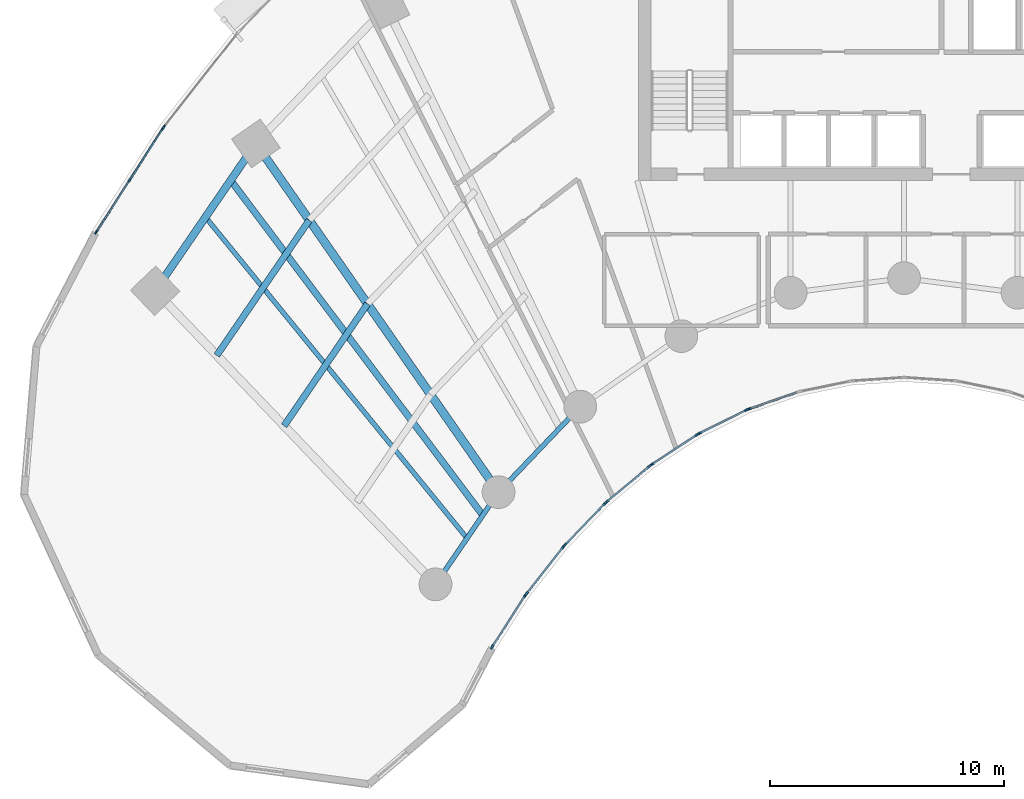
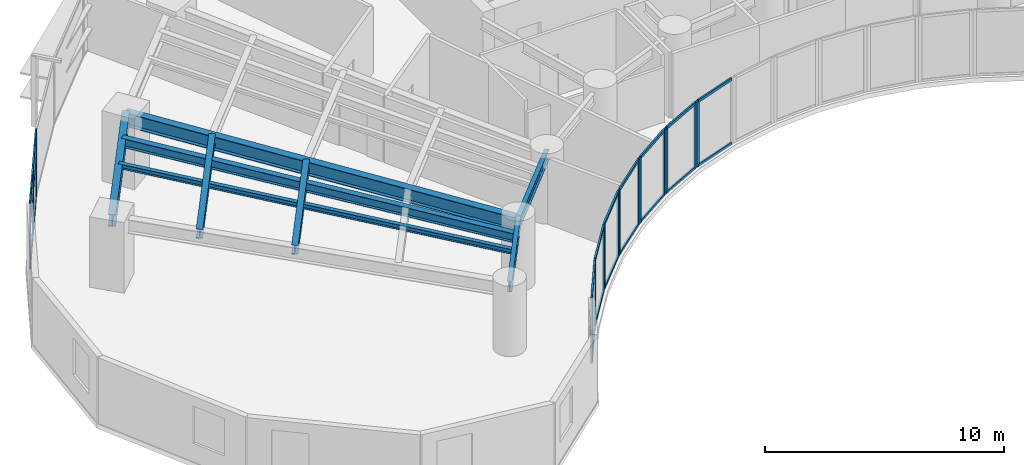
# One storey, part 2 of 17: 37 members, 8 beams, 9 elements without a shape of their own.
"""IFC4 building model written with IfcOpenShell, lengths in metres."""

from ifc_helpers import new_model, si_unit, direction, frame, origin, origin_2d, place, context, subcontext, project, spatial, rectangle, i_section, extrude, source, transform, mapped, material, layer, layer_set, material_profile, profile_set, type_object, type_shapes, element, aggregate, save


model = new_model("IFC4")

# Units and contexts
model_context = context("Model", 3, precision=1e-05, world=origin(), true_north=direction((0.0, 1.0)))
body_context = subcontext(model_context, "Body", "Model", "MODEL_VIEW")
ifc_project = project(units=[si_unit("LENGTHUNIT", "METRE"), si_unit("AREAUNIT", "SQUARE_METRE"), si_unit("VOLUMEUNIT", "CUBIC_METRE"), si_unit("PLANEANGLEUNIT", "RADIAN"), si_unit("MASSUNIT", "GRAM", prefix="KILO")], contexts=[model_context])

# Site, building, storey
site_placement = place(None, origin())
site = spatial("IfcSite", under=ifc_project, at=site_placement, CompositionType="ELEMENT")
building_placement = place(site_placement, origin())
building = spatial("IfcBuilding", under=site, at=building_placement, Name="Breltana Convention Tower", CompositionType="ELEMENT")
storey_placement = place(building_placement, frame((0.0, 0.0, 64.199951171875)))
storey = spatial("IfcBuildingStorey", under=building, at=storey_placement, Name="L14", CompositionType="ELEMENT", Elevation=64.199951171875)

# Beams
ifc_material_1 = material(Name="Steel ASTM A992 Grade 50", Category="steel")
ifc_material_profile_1 = material_profile(ifc_material_1, i_section(OverallWidth=0.323974609375, OverallDepth=0.611083984375, WebThickness=0.0126953125, FlangeThickness=0.01904296875, at=origin_2d()), Name="W24X104")
ifc_profile_set_1 = profile_set([ifc_material_profile_1], Name="Steel ASTM A992 Grade 50")
beam_type_1 = type_object("IfcBeamType", Name="BM-SP-W24X104", PredefinedType="SPANDREL", material=ifc_profile_set_1)
shared_shape_1 = source(origin(), body_context, "Body", "SweptSolid", [
    extrude(i_section(OverallWidth=0.323974609375, OverallDepth=0.611083984375, WebThickness=0.0126953125, FlangeThickness=0.01904296875, at=origin_2d()), origin(), (0.0, 0.0, 1.0), 7.625),
])
type_shapes(beam_type_1, [shared_shape_1])
beam_1_placement = place(storey_placement, frame((16.0068359375, 55.494384765625, 3.054443359375), z_axis=(0.564452031902, 0.825465870694, 0.0), x_axis=(-0.825465870694, 0.564452031902, 0.0)))
element("IfcBeam", 1, at=beam_1_placement, inside=storey, type_object=beam_type_1, Name="L14 Outer Spandrel Beam 01", PredefinedType="SPANDREL", context=body_context, shape_type="MappedRepresentation", body=[
    mapped(shared_shape_1, transform((0.0, 0.0, 0.0), scale=1.0)),
])
ifc_material_profile_2 = material_profile(ifc_material_1, i_section(OverallWidth=0.35498046875, OverallDepth=0.696044921875, WebThickness=0.015380859375, FlangeThickness=0.02490234375, at=origin_2d()), Name="W27X146")
ifc_profile_set_2 = profile_set([ifc_material_profile_2], Name="Steel ASTM A992 Grade 50")
beam_type_2 = type_object("IfcBeamType", Name="BM-RG-W27X146", PredefinedType="USERDEFINED", material=ifc_profile_set_2)
shared_shape_2 = source(origin(), body_context, "Body", "SweptSolid", [
    extrude(i_section(OverallWidth=0.35498046875, OverallDepth=0.696044921875, WebThickness=0.015380859375, FlangeThickness=0.02490234375, at=origin_2d()), origin(), (0.0, 0.0, 1.0), 18.1484375),
])
beam_2_placement = place(storey_placement, frame((30.67724609375, 46.892333984375, 3.011962890625), z_axis=(-0.571207556098, 0.820805657788, 0.0), x_axis=(-0.820805657788, -0.571207556098, 0.0)))
element("IfcBeam", 2, at=beam_2_placement, inside=storey, type_object=beam_type_2, Name="L14 Radial Floor Girder R02", ObjectType="GIRDER", PredefinedType="USERDEFINED", context=body_context, shape_type="MappedRepresentation", body=[
    mapped(shared_shape_2, transform((0.0, 0.0, 0.0), scale=1.0)),
])
ifc_material_profile_3 = material_profile(ifc_material_1, i_section(OverallWidth=0.2099609375, OverallDepth=0.537109375, WebThickness=0.010986328125, FlangeThickness=0.017333984375, at=origin_2d()), Name="W21X68")
ifc_profile_set_3 = profile_set([ifc_material_profile_3], Name="Steel ASTM A992 Grade 50")
beam_type_3 = type_object("IfcBeamType", Name="BM-BM-W21X68", PredefinedType="BEAM", material=ifc_profile_set_3)
shared_shape_3 = source(origin(), body_context, "Body", "SweptSolid", [
    extrude(i_section(OverallWidth=0.2099609375, OverallDepth=0.537109375, WebThickness=0.010986328125, FlangeThickness=0.017333984375, at=origin_2d()), origin(), (0.0, 0.0, 1.0), 4.770263671875),
])
beam_3_placement = place(storey_placement, frame((27.984619140625, 42.95458984375, 3.091552734375), z_axis=(0.564452719055, 0.82546540082, 0.0), x_axis=(-0.82546540082, 0.564452719055, 0.0)))
element("IfcBeam", 3, at=beam_3_placement, inside=storey, type_object=beam_type_3, Name="L14 Inner Ring Beam 01", PredefinedType="BEAM", context=body_context, shape_type="MappedRepresentation", body=[
    mapped(shared_shape_3, transform((0.0, 0.0, 0.0), scale=1.0)),
])
shared_shape_4 = source(origin(), body_context, "Body", "SweptSolid", [
    extrude(i_section(OverallWidth=0.2099609375, OverallDepth=0.537109375, WebThickness=0.010986328125, FlangeThickness=0.017333984375, at=origin_2d()), origin(), (0.0, 0.0, 1.0), 5.05126953125),
])
beam_4_placement = place(storey_placement, frame((30.67724609375, 46.892333984375, 3.091552734375), z_axis=(0.690729753845, 0.7231129975, 0.0), x_axis=(-0.7231129975, 0.690729753845, 0.0)))
element("IfcBeam", 4, at=beam_4_placement, inside=storey, type_object=beam_type_3, Name="L14 Inner Ring Beam 02", PredefinedType="BEAM", context=body_context, shape_type="MappedRepresentation", body=[
    mapped(shared_shape_4, transform((0.0, 0.0, 0.0), scale=1.0)),
])
ifc_material_profile_4 = material_profile(ifc_material_1, i_section(OverallWidth=0.280029296875, OverallDepth=0.462890625, WebThickness=0.0107421875, FlangeThickness=0.017333984375, at=origin_2d()), Name="W18X76")
ifc_profile_set_4 = profile_set([ifc_material_profile_4], Name="Steel ASTM A992 Grade 50")
beam_type_4 = type_object("IfcBeamType", Name="BM-JSG-06", PredefinedType="JOIST", material=ifc_profile_set_4)
shared_shape_5 = source(origin(), body_context, "Body", "SweptSolid", [
    extrude(i_section(OverallWidth=0.280029296875, OverallDepth=0.462890625, WebThickness=0.0107421875, FlangeThickness=0.017333984375, at=origin_2d()), origin(), (0.0, 0.0, 1.0), 6.311767578125),
])
beam_5_placement = place(storey_placement, frame((21.5166015625, 49.72607421875, 3.128662109375), z_axis=(0.564453712577, 0.825464721449, 0.0), x_axis=(-0.825464721449, 0.564453712577, 0.0)))
element("IfcBeam", 5, at=beam_5_placement, inside=storey, type_object=beam_type_4, Name="L14 Composite Floor Joist 01.2", PredefinedType="JOIST", context=body_context, shape_type="MappedRepresentation", body=[
    mapped(shared_shape_5, transform((0.0, 0.0, 0.0), scale=1.0)),
])
shared_shape_6 = source(origin(), body_context, "Body", "SweptSolid", [
    extrude(i_section(OverallWidth=0.280029296875, OverallDepth=0.462890625, WebThickness=0.0107421875, FlangeThickness=0.017333984375, at=origin_2d()), origin(), (0.0, 0.0, 1.0), 6.997314453125),
])
beam_6_placement = place(storey_placement, frame((18.641845703125, 52.735595703125, 3.128662109375), z_axis=(0.564468756361, 0.825454434292, 0.0), x_axis=(-0.825454434292, 0.564468756361, 0.0)))
element("IfcBeam", 6, at=beam_6_placement, inside=storey, type_object=beam_type_4, Name="L14 Composite Floor Joist 01.3", PredefinedType="JOIST", context=body_context, shape_type="MappedRepresentation", body=[
    mapped(shared_shape_6, transform((0.0, 0.0, 0.0), scale=1.0)),
])
ifc_material_profile_5 = material_profile(ifc_material_1, i_section(OverallWidth=0.201904296875, OverallDepth=0.2470703125, WebThickness=0.00732421875, FlangeThickness=0.010986328125, at=origin_2d()), Name="W10X33")
ifc_profile_set_5 = profile_set([ifc_material_profile_5], Name="Steel ASTM A992 Grade 50")
beam_type_5 = type_object("IfcBeamType", Name="BM-JSG-11", PredefinedType="JOIST", material=ifc_profile_set_5)
shared_shape_7 = source(origin(), body_context, "Body", "SweptSolid", [
    extrude(i_section(OverallWidth=0.201904296875, OverallDepth=0.2470703125, WebThickness=0.00732421875, FlangeThickness=0.010986328125, at=origin_2d()), origin(), (0.0, 0.0, 1.0), 17.691650390625),
])
type_shapes(beam_type_5, [shared_shape_7])
beam_7_placement = place(storey_placement, frame((29.330810546875, 44.923583984375, 3.236572265625), z_axis=(-0.631476958478, 0.775394642044, 0.0), x_axis=(-0.775394642044, -0.631476958478, 0.0)))
element("IfcBeam", 7, at=beam_7_placement, inside=storey, type_object=beam_type_5, Name="L14 Mid-Bay Radial Trimmer 01", PredefinedType="JOIST", context=body_context, shape_type="MappedRepresentation", body=[
    mapped(shared_shape_7, transform((0.0, 0.0, 0.0), scale=1.0)),
])
shared_shape_8 = source(origin(), body_context, "Body", "SweptSolid", [
    extrude(i_section(OverallWidth=0.280029296875, OverallDepth=0.462890625, WebThickness=0.0107421875, FlangeThickness=0.017333984375, at=origin_2d()), origin(), (0.0, 0.0, 1.0), 17.9072265625),
])
beam_8_placement = place(storey_placement, frame((30.00390625, 45.907958984375, 3.128662109375), z_axis=(-0.601382105028, 0.798961553363, 0.0), x_axis=(-0.798961553363, -0.601382105028, 0.0)))
element("IfcBeam", 8, at=beam_8_placement, inside=storey, type_object=beam_type_4, Name="L14 Quarter-Bay Radial Trimmer 01", PredefinedType="JOIST", context=body_context, shape_type="MappedRepresentation", body=[
    mapped(shared_shape_8, transform((0.0, 0.0, 0.0), scale=1.0)),
])

# Curtain wall, members
ifc_material_2 = material(Name="Aluminium Anodised Bronze Frame", Category="aluminium")
ifc_layer_1 = layer(ifc_material_2, 0.18994140625, Name="Aluminium Anodised Bronze Frame")
ifc_layer_set_1 = layer_set([ifc_layer_1], Name="Aluminium Anodised Bronze Frame")
curtain_wall_type_1 = type_object("IfcCurtainWallType", Name="CW-SYS-1", PredefinedType="NOTDEFINED", material=ifc_layer_set_1)
curtain_wall_1_placement = place(storey_placement, origin())
curtain_wall_1 = element("IfcCurtainWall", 9, at=curtain_wall_1_placement, inside=storey, type_object=curtain_wall_type_1, Name="L14 inner south-court glazing 16", PredefinedType="NOTDEFINED")
ifc_material_3 = material(Name="Aluminium Anodised Bronze", Category="aluminium")
ifc_material_profile_6 = material_profile(ifc_material_3, rectangle(XDim=0.080078125, YDim=0.139892578125, at=origin_2d()), Name="CWT-80X140")
ifc_profile_set_6 = profile_set([ifc_material_profile_6], Name="Aluminium Anodised Bronze")
member_type_1 = type_object("IfcMemberType", Name="CWT-140", PredefinedType="USERDEFINED", material=ifc_profile_set_6)
shared_shape_9 = source(origin(), body_context, "Body", "SweptSolid", [
    extrude(rectangle(XDim=0.080078125, YDim=0.139892578125, at=origin_2d()), origin(), (0.0, 0.0, 1.0), 2.38720703125),
])
type_shapes(member_type_1, [shared_shape_9])
member_1_placement = place(storey_placement, frame((35.2021484375, 46.385009765625, 0.0400390625), z_axis=(-0.694623715393, -0.719373264734, 0.0), x_axis=(0.719373264734, -0.694623715393, 0.0)))
member_1 = element("IfcMember", 10, at=member_1_placement, type_object=member_type_1, Name="CW-01 transom 1.1", ObjectType="TRANSOM", PredefinedType="USERDEFINED", context=body_context, shape_type="MappedRepresentation", body=[
    mapped(shared_shape_9, transform((0.0, 0.0, 0.0), scale=1.0)),
])
member_2_placement = place(storey_placement, frame((35.2021484375, 46.385009765625, 3.320068359375), z_axis=(-0.694623715393, -0.719373264734, 0.0), x_axis=(0.719373264734, -0.694623715393, 0.0)))
member_2 = element("IfcMember", 11, at=member_2_placement, type_object=member_type_1, Name="CW-01 transom 1.2", ObjectType="TRANSOM", PredefinedType="USERDEFINED", context=body_context, shape_type="MappedRepresentation", body=[
    mapped(shared_shape_9, transform((0.0, 0.0, 0.0), scale=1.0)),
])

curtain_wall_2_placement = place(storey_placement, origin())
curtain_wall_2 = element("IfcCurtainWall", 12, at=curtain_wall_2_placement, inside=storey, type_object=curtain_wall_type_1, Name="L14 inner south-court glazing 15", PredefinedType="NOTDEFINED")
shared_shape_10 = source(origin(), body_context, "Body", "SweptSolid", [
    extrude(rectangle(XDim=0.080078125, YDim=0.139892578125, at=origin_2d()), origin(), (0.0, 0.0, 1.0), 2.312255859375),
])
member_3_placement = place(storey_placement, frame((37.10888671875, 47.988037109375, 0.0400390625), z_axis=(-0.767900974507, -0.640568570374, 0.0), x_axis=(0.640568570374, -0.767900974507, 0.0)))
member_3 = element("IfcMember", 13, at=member_3_placement, type_object=member_type_1, Name="CW-01 transom 1.1", ObjectType="TRANSOM", PredefinedType="USERDEFINED", context=body_context, shape_type="MappedRepresentation", body=[
    mapped(shared_shape_10, transform((0.0, 0.0, 0.0), scale=1.0)),
])
member_4_placement = place(storey_placement, frame((37.10888671875, 47.988037109375, 3.320068359375), z_axis=(-0.767900974507, -0.640568570374, 0.0), x_axis=(0.640568570374, -0.767900974507, 0.0)))
member_4 = element("IfcMember", 14, at=member_4_placement, type_object=member_type_1, Name="CW-01 transom 1.2", ObjectType="TRANSOM", PredefinedType="USERDEFINED", context=body_context, shape_type="MappedRepresentation", body=[
    mapped(shared_shape_10, transform((0.0, 0.0, 0.0), scale=1.0)),
])

curtain_wall_3_placement = place(storey_placement, origin())
curtain_wall_3 = element("IfcCurtainWall", 15, at=curtain_wall_3_placement, inside=storey, type_object=curtain_wall_type_1, Name="L14 inner south-court glazing 14", PredefinedType="NOTDEFINED")
shared_shape_11 = source(origin(), body_context, "Body", "SweptSolid", [
    extrude(rectangle(XDim=0.080078125, YDim=0.139892578125, at=origin_2d()), origin(), (0.0, 0.0, 1.0), 2.2421875),
])
member_5_placement = place(storey_placement, frame((39.128173828125, 49.325927734375, 0.0400390625), z_axis=(-0.835982353773, -0.548756324957, 0.0), x_axis=(0.548756324957, -0.835982353773, 0.0)))
member_5 = element("IfcMember", 16, at=member_5_placement, type_object=member_type_1, Name="CW-01 transom 1.1", ObjectType="TRANSOM", PredefinedType="USERDEFINED", context=body_context, shape_type="MappedRepresentation", body=[
    mapped(shared_shape_11, transform((0.0, 0.0, 0.0), scale=1.0)),
])
member_6_placement = place(storey_placement, frame((39.128173828125, 49.325927734375, 3.320068359375), z_axis=(-0.835982353773, -0.548756324957, 0.0), x_axis=(0.548756324957, -0.835982353773, 0.0)))
member_6 = element("IfcMember", 17, at=member_6_placement, type_object=member_type_1, Name="CW-01 transom 1.2", ObjectType="TRANSOM", PredefinedType="USERDEFINED", context=body_context, shape_type="MappedRepresentation", body=[
    mapped(shared_shape_11, transform((0.0, 0.0, 0.0), scale=1.0)),
])

curtain_wall_4_placement = place(storey_placement, origin())
curtain_wall_4 = element("IfcCurtainWall", 18, at=curtain_wall_4_placement, inside=storey, type_object=curtain_wall_type_1, Name="L14 inner south-court glazing 13", PredefinedType="NOTDEFINED")
shared_shape_12 = source(origin(), body_context, "Body", "SweptSolid", [
    extrude(rectangle(XDim=0.080078125, YDim=0.139892578125, at=origin_2d()), origin(), (0.0, 0.0, 1.0), 2.180908203125),
])
member_7_placement = place(storey_placement, frame((41.239501953125, 50.384765625, 0.0400390625), z_axis=(-0.895922266369, -0.444210865045, 0.0), x_axis=(0.444210865045, -0.895922266369, 0.0)))
member_7 = element("IfcMember", 19, at=member_7_placement, type_object=member_type_1, Name="CW-01 transom 1.1", ObjectType="TRANSOM", PredefinedType="USERDEFINED", context=body_context, shape_type="MappedRepresentation", body=[
    mapped(shared_shape_12, transform((0.0, 0.0, 0.0), scale=1.0)),
])
member_8_placement = place(storey_placement, frame((41.239501953125, 50.384765625, 3.320068359375), z_axis=(-0.895922266369, -0.444210865045, 0.0), x_axis=(0.444210865045, -0.895922266369, 0.0)))
member_8 = element("IfcMember", 20, at=member_8_placement, type_object=member_type_1, Name="CW-01 transom 1.2", ObjectType="TRANSOM", PredefinedType="USERDEFINED", context=body_context, shape_type="MappedRepresentation", body=[
    mapped(shared_shape_12, transform((0.0, 0.0, 0.0), scale=1.0)),
])

curtain_wall_5_placement = place(storey_placement, origin())
curtain_wall_5 = element("IfcCurtainWall", 21, at=curtain_wall_5_placement, inside=storey, type_object=curtain_wall_type_1, Name="L14 inner south-court glazing 17", PredefinedType="NOTDEFINED")
shared_shape_13 = source(origin(), body_context, "Body", "SweptSolid", [
    extrude(rectangle(XDim=0.080078125, YDim=0.139892578125, at=origin_2d()), origin(), (0.0, 0.0, 1.0), 2.4638671875),
])
member_9_placement = place(storey_placement, frame((33.427001953125, 44.533447265625, 0.0400390625), z_axis=(-0.618184689608, -0.786032880695, 0.0), x_axis=(0.786032880695, -0.618184689608, 0.0)))
member_9 = element("IfcMember", 22, at=member_9_placement, type_object=member_type_1, Name="CW-01 transom 1.1", ObjectType="TRANSOM", PredefinedType="USERDEFINED", context=body_context, shape_type="MappedRepresentation", body=[
    mapped(shared_shape_13, transform((0.0, 0.0, 0.0), scale=1.0)),
])
member_10_placement = place(storey_placement, frame((33.427001953125, 44.533447265625, 3.320068359375), z_axis=(-0.618184689608, -0.786032880695, 0.0), x_axis=(0.786032880695, -0.618184689608, 0.0)))
member_10 = element("IfcMember", 23, at=member_10_placement, type_object=member_type_1, Name="CW-01 transom 1.2", ObjectType="TRANSOM", PredefinedType="USERDEFINED", context=body_context, shape_type="MappedRepresentation", body=[
    mapped(shared_shape_13, transform((0.0, 0.0, 0.0), scale=1.0)),
])

curtain_wall_6_placement = place(storey_placement, origin())
curtain_wall_6 = element("IfcCurtainWall", 24, at=curtain_wall_6_placement, inside=storey, type_object=curtain_wall_type_1, Name="L14 inner south-court glazing 18", PredefinedType="NOTDEFINED")
shared_shape_14 = source(origin(), body_context, "Body", "SweptSolid", [
    extrude(rectangle(XDim=0.080078125, YDim=0.139892578125, at=origin_2d()), origin(), (0.0, 0.0, 1.0), 2.53955078125),
])
member_11_placement = place(storey_placement, frame((31.801025390625, 42.452392578125, 0.0400390625), z_axis=(-0.540174413174, -0.841553090038, 0.0), x_axis=(0.841553090038, -0.540174413174, 0.0)))
member_11 = element("IfcMember", 25, at=member_11_placement, type_object=member_type_1, Name="CW-01 transom 1.1", ObjectType="TRANSOM", PredefinedType="USERDEFINED", context=body_context, shape_type="MappedRepresentation", body=[
    mapped(shared_shape_14, transform((0.0, 0.0, 0.0), scale=1.0)),
])
member_12_placement = place(storey_placement, frame((31.801025390625, 42.452392578125, 3.320068359375), z_axis=(-0.540174413174, -0.841553090038, 0.0), x_axis=(0.841553090038, -0.540174413174, 0.0)))
member_12 = element("IfcMember", 26, at=member_12_placement, type_object=member_type_1, Name="CW-01 transom 1.2", ObjectType="TRANSOM", PredefinedType="USERDEFINED", context=body_context, shape_type="MappedRepresentation", body=[
    mapped(shared_shape_14, transform((0.0, 0.0, 0.0), scale=1.0)),
])

# Curtain wall, member
curtain_wall_7_placement = place(storey_placement, origin())
curtain_wall_7 = element("IfcCurtainWall", 27, at=curtain_wall_7_placement, inside=storey, type_object=curtain_wall_type_1, Name="L14 inner south-court glazing 12", PredefinedType="NOTDEFINED")
ifc_material_profile_7 = material_profile(ifc_material_3, rectangle(XDim=0.080078125, YDim=0.199951171875, at=origin_2d()), Name="CWM-80X200")
ifc_profile_set_7 = profile_set([ifc_material_profile_7], Name="Aluminium Anodised Bronze")
member_type_2 = type_object("IfcMemberType", Name="CWM-200", PredefinedType="MULLION", material=ifc_profile_set_7)
shared_shape_15 = source(origin(), body_context, "Body", "SweptSolid", [
    extrude(rectangle(XDim=0.080078125, YDim=0.199951171875, at=origin_2d()), origin(), (0.0, 0.0, 1.0), 3.360107421875),
])
member_13_placement = place(storey_placement, frame((41.3701171875, 50.442138671875, 0.0), z_axis=(0.0, 0.0, 1.0), x_axis=(0.327413341714, -0.944881211406, 0.0)))
member_13 = element("IfcMember", 28, at=member_13_placement, type_object=member_type_2, Name="CW-01 mullion 2", PredefinedType="MULLION", context=body_context, shape_type="MappedRepresentation", body=[
    mapped(shared_shape_15, transform((0.0, 0.0, 0.0), scale=1.0)),
])

# Member
member_14_placement = place(storey_placement, frame((41.275390625, 50.40234375, 0.0), z_axis=(0.0, 0.0, 1.0), x_axis=(0.444117987602, -0.895968310315, 0.0)))
member_14 = element("IfcMember", 29, at=member_14_placement, type_object=member_type_2, Name="CW-01 mullion 1", PredefinedType="MULLION", context=body_context, shape_type="MappedRepresentation", body=[
    mapped(shared_shape_15, transform((0.0, 0.0, 0.0), scale=1.0)),
])

member_15_placement = place(storey_placement, frame((39.249755859375, 49.3984375, 0.0), z_axis=(0.0, 0.0, 1.0), x_axis=(0.444117987602, -0.895968310315, 0.0)))
member_15 = element("IfcMember", 30, at=member_15_placement, type_object=member_type_2, Name="CW-01 mullion 2", PredefinedType="MULLION", context=body_context, shape_type="MappedRepresentation", body=[
    mapped(shared_shape_15, transform((0.0, 0.0, 0.0), scale=1.0)),
])

aggregate(curtain_wall_4, [member_14, member_15, member_7, member_8])

member_16_placement = place(storey_placement, frame((39.16162109375, 49.347900390625, 0.0), z_axis=(0.0, 0.0, 1.0), x_axis=(0.548778278441, -0.835967942634, 0.0)))
member_16 = element("IfcMember", 31, at=member_16_placement, type_object=member_type_2, Name="CW-01 mullion 1", PredefinedType="MULLION", context=body_context, shape_type="MappedRepresentation", body=[
    mapped(shared_shape_15, transform((0.0, 0.0, 0.0), scale=1.0)),
])

member_17_placement = place(storey_placement, frame((37.220458984375, 48.073486328125, 0.0), z_axis=(0.0, 0.0, 1.0), x_axis=(0.548778278441, -0.835967942634, 0.0)))
member_17 = element("IfcMember", 32, at=member_17_placement, type_object=member_type_2, Name="CW-01 mullion 2", PredefinedType="MULLION", context=body_context, shape_type="MappedRepresentation", body=[
    mapped(shared_shape_15, transform((0.0, 0.0, 0.0), scale=1.0)),
])

aggregate(curtain_wall_3, [member_16, member_17, member_5, member_6])

member_18_placement = place(storey_placement, frame((37.1396484375, 48.013671875, 0.0), z_axis=(0.0, 0.0, 1.0), x_axis=(0.640522524458, -0.767939382804, 0.0)))
member_18 = element("IfcMember", 33, at=member_18_placement, type_object=member_type_2, Name="CW-01 mullion 1", PredefinedType="MULLION", context=body_context, shape_type="MappedRepresentation", body=[
    mapped(shared_shape_15, transform((0.0, 0.0, 0.0), scale=1.0)),
])

member_19_placement = place(storey_placement, frame((35.302734375, 46.481201171875, 0.0), z_axis=(0.0, 0.0, 1.0), x_axis=(0.640522524458, -0.767939382804, 0.0)))
member_19 = element("IfcMember", 34, at=member_19_placement, type_object=member_type_2, Name="CW-01 mullion 2", PredefinedType="MULLION", context=body_context, shape_type="MappedRepresentation", body=[
    mapped(shared_shape_15, transform((0.0, 0.0, 0.0), scale=1.0)),
])

aggregate(curtain_wall_2, [member_18, member_19, member_3, member_4])

member_20_placement = place(storey_placement, frame((35.22998046875, 46.413818359375, 0.0), z_axis=(0.0, 0.0, 1.0), x_axis=(0.719384548773, -0.694612029111, 0.0)))
member_20 = element("IfcMember", 35, at=member_20_placement, type_object=member_type_2, Name="CW-01 mullion 1", PredefinedType="MULLION", context=body_context, shape_type="MappedRepresentation", body=[
    mapped(shared_shape_15, transform((0.0, 0.0, 0.0), scale=1.0)),
])

member_21_placement = place(storey_placement, frame((33.51611328125, 44.638916015625, 0.0), z_axis=(0.0, 0.0, 1.0), x_axis=(0.719384548773, -0.694612029111, 0.0)))
member_21 = element("IfcMember", 36, at=member_21_placement, type_object=member_type_2, Name="CW-01 mullion 2", PredefinedType="MULLION", context=body_context, shape_type="MappedRepresentation", body=[
    mapped(shared_shape_15, transform((0.0, 0.0, 0.0), scale=1.0)),
])

aggregate(curtain_wall_1, [member_20, member_21, member_1, member_2])

member_22_placement = place(storey_placement, frame((33.45166015625, 44.56494140625, 0.0), z_axis=(0.0, 0.0, 1.0), x_axis=(0.786057762734, -0.61815305034, 0.0)))
member_22 = element("IfcMember", 37, at=member_22_placement, type_object=member_type_2, Name="CW-01 mullion 1", PredefinedType="MULLION", context=body_context, shape_type="MappedRepresentation", body=[
    mapped(shared_shape_15, transform((0.0, 0.0, 0.0), scale=1.0)),
])

member_23_placement = place(storey_placement, frame((31.87890625, 42.565185546875, 0.0), z_axis=(0.0, 0.0, 1.0), x_axis=(0.786057762734, -0.61815305034, 0.0)))
member_23 = element("IfcMember", 38, at=member_23_placement, type_object=member_type_2, Name="CW-01 mullion 2", PredefinedType="MULLION", context=body_context, shape_type="MappedRepresentation", body=[
    mapped(shared_shape_15, transform((0.0, 0.0, 0.0), scale=1.0)),
])

aggregate(curtain_wall_5, [member_22, member_23, member_9, member_10])

member_24_placement = place(storey_placement, frame((31.82275390625, 42.48583984375, 0.0), z_axis=(0.0, 0.0, 1.0), x_axis=(0.841556194767, -0.540169576197, 0.0)))
member_24 = element("IfcMember", 39, at=member_24_placement, type_object=member_type_2, Name="CW-01 mullion 1", PredefinedType="MULLION", context=body_context, shape_type="MappedRepresentation", body=[
    mapped(shared_shape_15, transform((0.0, 0.0, 0.0), scale=1.0)),
])

member_25_placement = place(storey_placement, frame((30.40771484375, 40.281494140625, 0.0), z_axis=(0.0, 0.0, 1.0), x_axis=(0.841556194767, -0.540169576197, 0.0)))
member_25 = element("IfcMember", 40, at=member_25_placement, type_object=member_type_2, Name="CW-01 mullion 2", PredefinedType="MULLION", context=body_context, shape_type="MappedRepresentation", body=[
    mapped(shared_shape_15, transform((0.0, 0.0, 0.0), scale=1.0)),
])

aggregate(curtain_wall_6, [member_24, member_25, member_11, member_12])

shared_shape_16 = source(origin(), body_context, "Body", "SweptSolid", [
    extrude(rectangle(XDim=0.080078125, YDim=0.139892578125, at=origin_2d()), origin(), (0.0, 0.0, 1.0), 2.131103515625),
])
member_26_placement = place(storey_placement, frame((43.421630859375, 51.153076171875, 0.0400390625), z_axis=(-0.944847069856, -0.327511854112, 0.0), x_axis=(0.327511854112, -0.944847069856, 0.0)))
member_26 = element("IfcMember", 41, at=member_26_placement, type_object=member_type_1, Name="CW-01 transom 1.1", ObjectType="TRANSOM", PredefinedType="USERDEFINED", context=body_context, shape_type="MappedRepresentation", body=[
    mapped(shared_shape_16, transform((0.0, 0.0, 0.0), scale=1.0)),
])

member_27_placement = place(storey_placement, frame((43.421630859375, 51.153076171875, 3.320068359375), z_axis=(-0.944847069856, -0.327511854112, 0.0), x_axis=(0.327511854112, -0.944847069856, 0.0)))
member_27 = element("IfcMember", 42, at=member_27_placement, type_object=member_type_1, Name="CW-01 transom 1.2", ObjectType="TRANSOM", PredefinedType="USERDEFINED", context=body_context, shape_type="MappedRepresentation", body=[
    mapped(shared_shape_16, transform((0.0, 0.0, 0.0), scale=1.0)),
])

aggregate(curtain_wall_7, [member_13, member_26, member_27])

# Curtain wall, members
ifc_layer_2 = layer(ifc_material_2, 0.199951171875, Name="Aluminium Anodised Bronze Frame")
ifc_layer_set_2 = layer_set([ifc_layer_2], Name="Aluminium Anodised Bronze Frame")
curtain_wall_type_2 = type_object("IfcCurtainWallType", Name="CW-SYS-2", PredefinedType="NOTDEFINED", material=ifc_layer_set_2)
curtain_wall_8_placement = place(storey_placement, origin())
curtain_wall_8 = element("IfcCurtainWall", 43, at=curtain_wall_8_placement, inside=storey, type_object=curtain_wall_type_2, Name="L14 outer double-skin inner glazing 1", PredefinedType="NOTDEFINED")
ifc_material_profile_8 = material_profile(ifc_material_3, rectangle(XDim=0.070068359375, YDim=0.175048828125, at=origin_2d()), Name="CWM-70X175")
ifc_profile_set_8 = profile_set([ifc_material_profile_8], Name="Aluminium Anodised Bronze")
member_type_3 = type_object("IfcMemberType", Name="CWM-175", PredefinedType="MULLION", material=ifc_profile_set_8)
shared_shape_17 = source(origin(), body_context, "Body", "SweptSolid", [
    extrude(rectangle(XDim=0.070068359375, YDim=0.175048828125, at=origin_2d()), origin(), (0.0, 0.0, 1.0), 3.360107421875),
])
type_shapes(member_type_3, [shared_shape_17])
member_28_placement = place(storey_placement, frame((13.487060546875, 57.993896484375, 0.0), z_axis=(0.0, 0.0, 1.0), x_axis=(-0.841549039154, 0.540180724109, 0.0)))
member_28 = element("IfcMember", 44, at=member_28_placement, type_object=member_type_3, Name="CW-02 mullion 1", PredefinedType="MULLION", context=body_context, shape_type="MappedRepresentation", body=[
    mapped(shared_shape_17, transform((0.0, 0.0, 0.0), scale=1.0)),
])
member_29_placement = place(storey_placement, frame((14.911865234375, 60.2138671875, 0.0), z_axis=(0.0, 0.0, 1.0), x_axis=(-0.841549039154, 0.540180724109, 0.0)))
member_29 = element("IfcMember", 45, at=member_29_placement, type_object=member_type_3, Name="CW-02 mullion 2", PredefinedType="MULLION", context=body_context, shape_type="MappedRepresentation", body=[
    mapped(shared_shape_17, transform((0.0, 0.0, 0.0), scale=1.0)),
])
member_30_placement = place(storey_placement, frame((16.3369140625, 62.43359375, 0.0), z_axis=(0.0, 0.0, 1.0), x_axis=(-0.841549039154, 0.540180724109, 0.0)))
member_30 = element("IfcMember", 46, at=member_30_placement, type_object=member_type_3, Name="CW-02 mullion 3", PredefinedType="MULLION", context=body_context, shape_type="MappedRepresentation", body=[
    mapped(shared_shape_17, transform((0.0, 0.0, 0.0), scale=1.0)),
])

# Curtain wall, member
curtain_wall_9_placement = place(storey_placement, origin())
curtain_wall_9 = element("IfcCurtainWall", 47, at=curtain_wall_9_placement, inside=storey, type_object=curtain_wall_type_2, Name="L14 outer double-skin inner glazing 2", PredefinedType="NOTDEFINED")
member_31_placement = place(storey_placement, frame((16.37744140625, 62.49072265625, 0.0), z_axis=(0.0, 0.0, 1.0), x_axis=(-0.786057080698, 0.618153917633, 0.0)))
member_31 = element("IfcMember", 48, at=member_31_placement, type_object=member_type_3, Name="CW-02 mullion 1", PredefinedType="MULLION", context=body_context, shape_type="MappedRepresentation", body=[
    mapped(shared_shape_17, transform((0.0, 0.0, 0.0), scale=1.0)),
])
aggregate(curtain_wall_9, [member_31])

# Member
ifc_material_profile_9 = material_profile(ifc_material_3, rectangle(XDim=0.070068359375, YDim=0.1201171875, at=origin_2d()), Name="CWT-70X120")
ifc_profile_set_9 = profile_set([ifc_material_profile_9], Name="Aluminium Anodised Bronze")
member_type_4 = type_object("IfcMemberType", Name="CWT-120", PredefinedType="USERDEFINED", material=ifc_profile_set_9)
shared_shape_18 = source(origin(), body_context, "Body", "SweptSolid", [
    extrude(rectangle(XDim=0.070068359375, YDim=0.1201171875, at=origin_2d()), origin(), (0.0, 0.0, 1.0), 2.56787109375),
])
type_shapes(member_type_4, [shared_shape_18])
member_32_placement = place(storey_placement, frame((13.505859375, 58.0234375, 0.03515625), z_axis=(0.54022409371, 0.841521199124, 0.0), x_axis=(-0.841521199124, 0.54022409371, 0.0)))
member_32 = element("IfcMember", 49, at=member_32_placement, type_object=member_type_4, Name="CW-02 transom 1.1", ObjectType="TRANSOM", PredefinedType="USERDEFINED", context=body_context, shape_type="MappedRepresentation", body=[
    mapped(shared_shape_18, transform((0.0, 0.0, 0.0), scale=1.0)),
])

member_33_placement = place(storey_placement, frame((13.505859375, 58.0234375, 2.18408203125), z_axis=(0.54022409371, 0.841521199124, 0.0), x_axis=(-0.841521199124, 0.54022409371, 0.0)))
member_33 = element("IfcMember", 50, at=member_33_placement, type_object=member_type_4, Name="CW-02 transom 1.2", ObjectType="TRANSOM", PredefinedType="USERDEFINED", context=body_context, shape_type="MappedRepresentation", body=[
    mapped(shared_shape_18, transform((0.0, 0.0, 0.0), scale=1.0)),
])

member_34_placement = place(storey_placement, frame((13.505859375, 58.0234375, 3.324951171875), z_axis=(0.54022409371, 0.841521199124, 0.0), x_axis=(-0.841521199124, 0.54022409371, 0.0)))
member_34 = element("IfcMember", 51, at=member_34_placement, type_object=member_type_4, Name="CW-02 transom 1.3", ObjectType="TRANSOM", PredefinedType="USERDEFINED", context=body_context, shape_type="MappedRepresentation", body=[
    mapped(shared_shape_18, transform((0.0, 0.0, 0.0), scale=1.0)),
])

member_35_placement = place(storey_placement, frame((14.930908203125, 60.2431640625, 0.03515625), z_axis=(0.540113540427, 0.841592159806, 0.0), x_axis=(-0.841592159806, 0.540113540427, 0.0)))
member_35 = element("IfcMember", 52, at=member_35_placement, type_object=member_type_4, Name="CW-02 transom 2.1", ObjectType="TRANSOM", PredefinedType="USERDEFINED", context=body_context, shape_type="MappedRepresentation", body=[
    mapped(shared_shape_18, transform((0.0, 0.0, 0.0), scale=1.0)),
])

member_36_placement = place(storey_placement, frame((14.930908203125, 60.2431640625, 2.18408203125), z_axis=(0.540113540427, 0.841592159806, 0.0), x_axis=(-0.841592159806, 0.540113540427, 0.0)))
member_36 = element("IfcMember", 53, at=member_36_placement, type_object=member_type_4, Name="CW-02 transom 2.2", ObjectType="TRANSOM", PredefinedType="USERDEFINED", context=body_context, shape_type="MappedRepresentation", body=[
    mapped(shared_shape_18, transform((0.0, 0.0, 0.0), scale=1.0)),
])

member_37_placement = place(storey_placement, frame((14.930908203125, 60.2431640625, 3.324951171875), z_axis=(0.540113540427, 0.841592159806, 0.0), x_axis=(-0.841592159806, 0.540113540427, 0.0)))
member_37 = element("IfcMember", 54, at=member_37_placement, type_object=member_type_4, Name="CW-02 transom 2.3", ObjectType="TRANSOM", PredefinedType="USERDEFINED", context=body_context, shape_type="MappedRepresentation", body=[
    mapped(shared_shape_18, transform((0.0, 0.0, 0.0), scale=1.0)),
])

aggregate(curtain_wall_8, [member_28, member_29, member_30, member_32, member_33, member_34, member_35, member_36, member_37])

save(model, "model.ifc")
